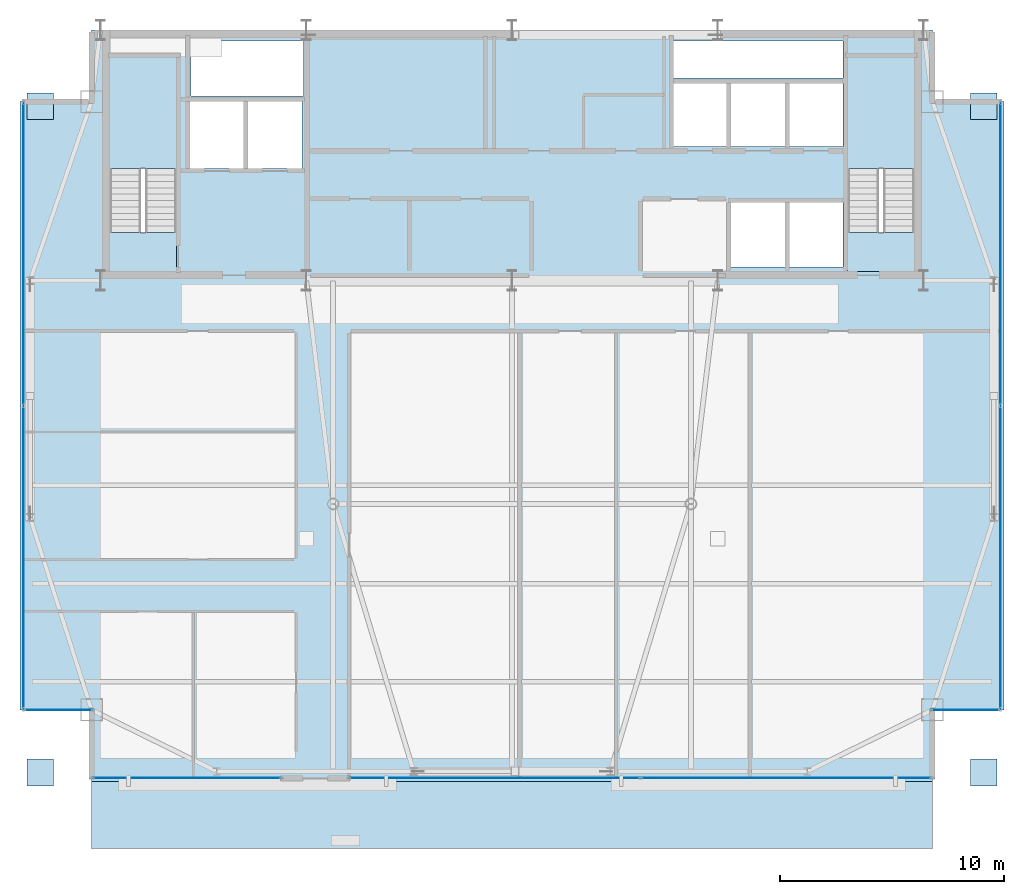
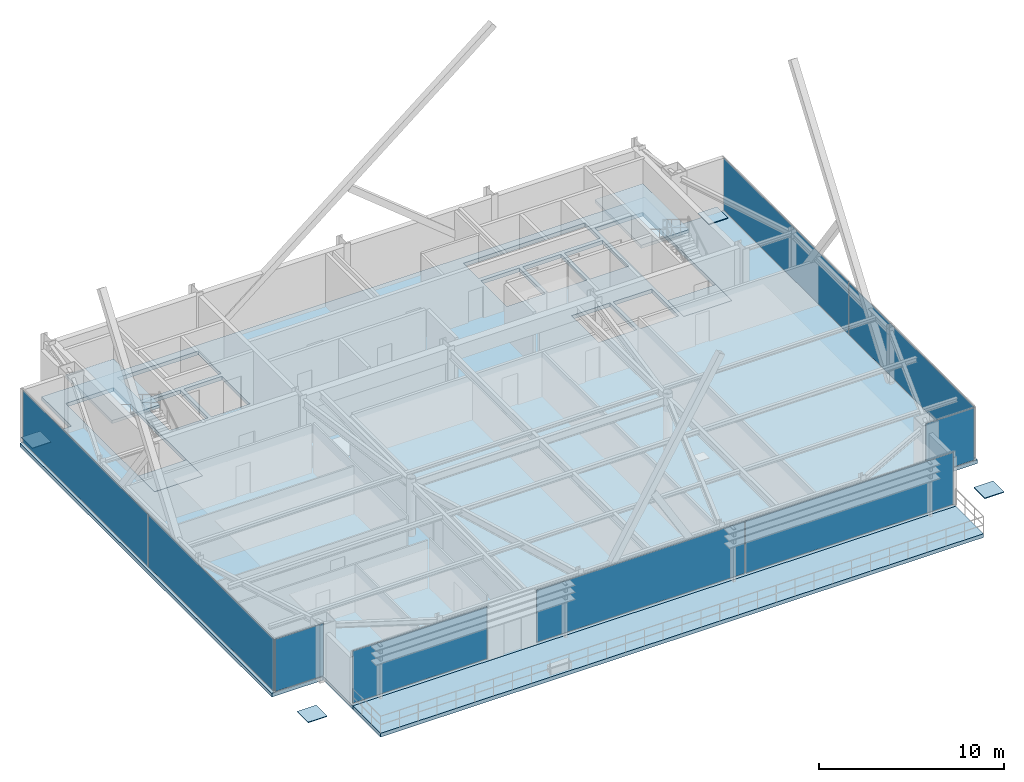
# One storey, part 18 of 25: 13 plates, 6 slabs, 8 elements without a shape of their own.
"""IFC4 building model written with IfcOpenShell, lengths in metres."""

from ifc_helpers import new_model, si_unit, direction, frame, origin, origin_2d, place, context, subcontext, project, spatial, polyline, rectangle, outline, extrude, source, transform, mapped, material, layer, layer_set, type_object, type_shapes, element, aggregate, save


model = new_model("IFC4")

# Units and contexts
model_context = context("Model", 3, precision=1e-05, world=origin(), true_north=direction((0.0, 1.0)))
body_context = subcontext(model_context, "Body", "Model", "MODEL_VIEW")
ifc_project = project(units=[si_unit("LENGTHUNIT", "METRE"), si_unit("AREAUNIT", "SQUARE_METRE"), si_unit("VOLUMEUNIT", "CUBIC_METRE"), si_unit("PLANEANGLEUNIT", "RADIAN"), si_unit("MASSUNIT", "GRAM", prefix="KILO")], contexts=[model_context])

# Site, building, storey
site_placement = place(None, origin())
site = spatial("IfcSite", under=ifc_project, at=site_placement, CompositionType="ELEMENT")
building_placement = place(site_placement, origin())
building = spatial("IfcBuilding", under=site, at=building_placement, Name="Varnel Quay Broadcast Tower", CompositionType="ELEMENT")
storey_placement = place(building_placement, frame((0.0, 0.0, 258.39990234375)))
storey = spatial("IfcBuildingStorey", under=building, at=storey_placement, Name="L64", CompositionType="ELEMENT", Elevation=258.39990234375)

# Slabs
ifc_material_1 = material(Name="Concrete CSA A23.3 C40/50", Category="concrete")
ifc_layer_1 = layer(ifc_material_1, 0.25, Name="Concrete CSA A23.3 C40/50")
ifc_layer_set_1 = layer_set([ifc_layer_1], Name="Concrete CSA A23.3 C40/50")
slab_type_1 = type_object("IfcSlabType", Name="Slab_ExtTerrace250", PredefinedType="FLOOR", material=ifc_layer_set_1)
slab_1_placement = place(storey_placement, frame((0.0, 0.0, -0.25)))
element("IfcSlab", 1, at=slab_1_placement, inside=storey, type_object=slab_type_1, Name="L64 Planted Lobe Terrace Slab 1", PredefinedType="FLOOR", context=body_context, shape_type="SweptSolid", body=[
    extrude(outline(polyline([(15.199951171875, 10.199951171875), (52.800048828125, 10.199951171875), (52.800048828125, 13.199951171875), (15.199951171875, 13.199951171875), (15.199951171875, 10.199951171875)])), origin(), (0.0, 0.0, 1.0), 0.25),
])
ifc_material_2 = material(Name="Concrete CSA A23.3 C50/60", Category="concrete")
ifc_layer_2 = layer(ifc_material_2, 0.25, Name="Concrete CSA A23.3 C50/60")
ifc_layer_set_2 = layer_set([ifc_layer_2], Name="Concrete CSA A23.3 C50/60")
slab_type_2 = type_object("IfcSlabType", Name="Slab_Floor250", PredefinedType="FLOOR", material=ifc_layer_set_2)
slab_2_placement = place(storey_placement, frame((0.0, 0.0, -0.25)))
element("IfcSlab", 2, at=slab_2_placement, inside=storey, type_object=slab_type_2, Name="L64 Structural Slab", PredefinedType="FLOOR", context=body_context, shape_type="SweptSolid", body=[
    extrude(outline(polyline([(15.199951171875, 13.199951171875), (52.800048828125, 13.199951171875), (52.800048828125, 16.39990234375), (56.0, 16.39990234375), (56.0, 43.60009765625), (52.800048828125, 43.60009765625), (52.800048828125, 46.800048828125), (15.199951171875, 46.800048828125), (15.199951171875, 43.60009765625), (12.0, 43.60009765625), (12.0, 16.39990234375), (15.199951171875, 16.39990234375), (15.199951171875, 13.199951171875)]), holes=[polyline([(19.0, 36.0), (16.0, 36.0), (16.0, 45.60009765625), (19.0, 45.60009765625), (19.0, 36.0)]), polyline([(19.60009765625, 40.60009765625), (19.60009765625, 43.60009765625), (22.0, 43.60009765625), (22.0, 40.60009765625), (19.60009765625, 40.60009765625)]), polyline([(22.199951171875, 40.60009765625), (22.199951171875, 43.60009765625), (24.60009765625, 43.60009765625), (24.60009765625, 40.60009765625), (22.199951171875, 40.60009765625)]), polyline([(41.199951171875, 44.39990234375), (43.60009765625, 44.39990234375), (43.60009765625, 41.60009765625), (41.199951171875, 41.60009765625), (41.199951171875, 44.39990234375)]), polyline([(43.800048828125, 44.39990234375), (46.199951171875, 44.39990234375), (46.199951171875, 41.60009765625), (43.800048828125, 41.60009765625), (43.800048828125, 44.39990234375)]), polyline([(19.64990234375, 43.85009765625), (19.64990234375, 46.300048828125), (24.679931640625, 46.300048828125), (24.679931640625, 43.85009765625), (19.64990234375, 43.85009765625)]), polyline([(43.800048828125, 39.10009765625), (46.199951171875, 39.10009765625), (46.199951171875, 36.199951171875), (43.800048828125, 36.199951171875), (43.800048828125, 39.10009765625)]), polyline([(46.39990234375, 39.10009765625), (48.800048828125, 39.10009765625), (48.800048828125, 36.199951171875), (46.39990234375, 36.199951171875), (46.39990234375, 39.10009765625)]), polyline([(52.0, 36.0), (49.0, 36.0), (49.0, 45.60009765625), (52.0, 45.60009765625), (52.0, 36.0)]), polyline([(46.39990234375, 44.39990234375), (48.800048828125, 44.39990234375), (48.800048828125, 41.60009765625), (46.39990234375, 41.60009765625), (46.39990234375, 44.39990234375)]), polyline([(41.199951171875, 46.300048828125), (48.800048828125, 46.300048828125), (48.800048828125, 44.64990234375), (41.199951171875, 44.64990234375), (41.199951171875, 46.300048828125)])]), origin(), (0.0, 0.0, 1.0), 0.25),
])
ifc_layer_3 = layer(ifc_material_2, 0.25, Name="Concrete CSA A23.3 C50/60")
ifc_layer_set_3 = layer_set([ifc_layer_3], Name="Concrete CSA A23.3 C50/60")
slab_type_3 = type_object("IfcSlabType", Name="Slab_StairFloorLanding250", PredefinedType="FLOOR", material=ifc_layer_set_3)
slab_3_placement = place(storey_placement, frame((0.0, 0.0, -0.25)))
element("IfcSlab", 3, at=slab_3_placement, inside=storey, type_object=slab_type_3, Name="L64 ST-01 Structural Floor Landing Slab", PredefinedType="FLOOR", context=body_context, shape_type="SweptSolid", body=[
    extrude(outline(polyline([(19.0, 36.0), (19.0, 37.75), (16.0, 37.75), (16.0, 36.0), (19.0, 36.0)])), origin(), (0.0, 0.0, 1.0), 0.25),
])
slab_4_placement = place(storey_placement, frame((0.0, 0.0, -0.25)))
element("IfcSlab", 4, at=slab_4_placement, inside=storey, type_object=slab_type_3, Name="L64 ST-02 Structural Floor Landing Slab", PredefinedType="FLOOR", context=body_context, shape_type="SweptSolid", body=[
    extrude(outline(polyline([(52.0, 36.0), (52.0, 37.75), (49.0, 37.75), (49.0, 36.0), (52.0, 36.0)])), origin(), (0.0, 0.0, 1.0), 0.25),
])

# Stair, slab
ifc_material_3 = material(Name="Precast Structural Concrete C40/50", Category="concrete")
stair_type_1 = type_object("IfcStairType", Name="Stair_ST-01", PredefinedType="HALF_TURN_STAIR", material=ifc_material_3)
stair_1_placement = place(storey_placement, origin())
stair_1 = element("IfcStair", 5, at=stair_1_placement, inside=storey, type_object=stair_type_1, Name="L64 West Core Exit Stair 1", PredefinedType="HALF_TURN_STAIR")
ifc_layer_4 = layer(ifc_material_3, 0.199951171875, Name="Precast Structural Concrete C40/50")
ifc_layer_set_4 = layer_set([ifc_layer_4], Name="Precast Structural Concrete C40/50")
slab_type_4 = type_object("IfcSlabType", Name="Slab_StairLanding200", PredefinedType="LANDING", material=ifc_layer_set_4)
slab_5_placement = place(storey_placement, frame((0.0, 0.0, 1.7001953125)))
slab_5 = element("IfcSlab", 6, at=slab_5_placement, type_object=slab_type_4, Name="ST-01 landing 1", PredefinedType="LANDING", context=body_context, shape_type="SweptSolid", body=[
    extrude(outline(polyline([(19.0, 40.60009765625), (19.0, 45.60009765625), (16.0, 45.60009765625), (16.0, 40.60009765625), (19.0, 40.60009765625)])), origin(), (0.0, 0.0, 1.0), 0.199951171875),
])
aggregate(stair_1, [slab_5])

stair_type_2 = type_object("IfcStairType", Name="Stair_ST-02", PredefinedType="HALF_TURN_STAIR", material=ifc_material_3)
stair_2_placement = place(storey_placement, origin())
stair_2 = element("IfcStair", 7, at=stair_2_placement, inside=storey, type_object=stair_type_2, Name="L64 East Core Exit Stair 2", PredefinedType="HALF_TURN_STAIR")
slab_6_placement = place(storey_placement, frame((0.0, 0.0, 1.7001953125)))
slab_6 = element("IfcSlab", 8, at=slab_6_placement, type_object=slab_type_4, Name="ST-02 landing 1", PredefinedType="LANDING", context=body_context, shape_type="SweptSolid", body=[
    extrude(outline(polyline([(52.0, 40.60009765625), (52.0, 45.60009765625), (49.0, 45.60009765625), (49.0, 40.60009765625), (52.0, 40.60009765625)])), origin(), (0.0, 0.0, 1.0), 0.199951171875),
])
aggregate(stair_2, [slab_6])

# Plates
ifc_material_4 = material(Name="Structural Steel CSA G40.21 350WT", Category="steel")
ifc_layer_5 = layer(ifc_material_4, 0.050048828125, Name="Structural Steel CSA G40.21 350WT")
ifc_layer_set_5 = layer_set([ifc_layer_5], Name="Structural Steel CSA G40.21 350WT")
plate_type_1 = type_object("IfcPlateType", Name="Plate_BasePlate", PredefinedType="SHEET", material=ifc_layer_set_5)
shared_shape_1 = source(origin(), body_context, "Body", "SweptSolid", [
    extrude(rectangle(XDim=1.18994140625, YDim=1.18994140625, at=origin_2d()), origin(), (0.0, 0.0, 1.0), 0.050048828125),
])
type_shapes(plate_type_1, [shared_shape_1])
for number, where, z_axis, x_axis, name in (
    (9, (12.89990234375, 13.60009765625, -0.0048828125), (0.0, 0.0, 1.0), (1.0, 0.0, 0.0), "L63 Hollow Column Top Cap Plate MC-SW"),
    (10, (55.10009765625, 13.60009765625, -0.0048828125), (0.0, 0.0, 1.0), (1.0, 0.0, 0.0), "L63 Hollow Column Top Cap Plate MC-SE"),
    (11, (55.10009765625, 43.39990234375, -0.0048828125), (0.0, 0.0, 1.0), (1.0, 0.0, 0.0), "L63 Hollow Column Top Cap Plate MC-NE"),
    (12, (12.89990234375, 43.39990234375, -0.0048828125), (0.0, 0.0, 1.0), (1.0, 0.0, 0.0), "L63 Hollow Column Top Cap Plate MC-NW"),
):
    element("IfcPlate", number, at=place(storey_placement, frame(where, z_axis=z_axis, x_axis=x_axis)), inside=storey, type_object=plate_type_1, Name=name, PredefinedType="SHEET", context=body_context, shape_type="MappedRepresentation", body=[
        mapped(shared_shape_1, transform((0.0, 0.0, 0.0), x_axis=(1.0, 0.0, 0.0), y_axis=(0.0, 1.0, 0.0), z_axis=(0.0, 0.0, 1.0), scale=1.0)),
    ])

# Curtain wall, plate
ifc_material_5 = material(Name="Anodised Bronze Aluminium 6063-T6", Category="aluminium")
ifc_layer_6 = layer(ifc_material_5, 0.18994140625, Name="Anodised Bronze Aluminium 6063-T6")
ifc_layer_set_6 = layer_set([ifc_layer_6], Name="Anodised Bronze Aluminium 6063-T6")
curtain_wall_type_1 = type_object("IfcCurtainWallType", Name="CW_UpperTower", PredefinedType="NOTDEFINED", material=ifc_layer_set_6)
curtain_wall_1_placement = place(storey_placement, origin())
curtain_wall_1 = element("IfcCurtainWall", 13, at=curtain_wall_1_placement, inside=storey, type_object=curtain_wall_type_1, Name="L64 South Unitised Curtain Wall 1", PredefinedType="NOTDEFINED")
ifc_material_6 = material(Name="Triple-Glazed Bronze Low-E Architectural Glass", Category="glass")
ifc_layer_7 = layer(ifc_material_6, 0.030029296875, Name="Triple-Glazed Bronze Low-E Architectural Glass")
ifc_layer_set_7 = layer_set([ifc_layer_7], Name="Triple-Glazed Bronze Low-E Architectural Glass")
plate_type_2 = type_object("IfcPlateType", Name="Panel_CWS-03", PredefinedType="CURTAIN_PANEL", material=ifc_layer_set_7)
shared_shape_2 = source(origin(), body_context, "Body", "SweptSolid", [
    extrude(rectangle(XDim=8.389892578125, YDim=0.030029296875, at=origin_2d()), origin(), (0.0, 0.0, 1.0), 3.429931640625),
])
plate_1_placement = place(storey_placement, frame((19.4599609375, 13.35009765625, 0.06005859375), z_axis=(0.0, 0.0, 1.0), x_axis=(1.0, 0.0, 0.0)))
plate_1 = element("IfcPlate", 14, at=plate_1_placement, type_object=plate_type_2, Name="CWS-03 panel 1.1", PredefinedType="CURTAIN_PANEL", context=body_context, shape_type="MappedRepresentation", body=[
    mapped(shared_shape_2, transform((0.0, 0.0, 0.0), x_axis=(1.0, 0.0, 0.0), y_axis=(0.0, 1.0, 0.0), z_axis=(0.0, 0.0, 1.0), scale=1.0)),
])
aggregate(curtain_wall_1, [plate_1])

# Curtain wall, plates
curtain_wall_2_placement = place(storey_placement, origin())
curtain_wall_2 = element("IfcCurtainWall", 15, at=curtain_wall_2_placement, inside=storey, type_object=curtain_wall_type_1, Name="L64 South Unitised Curtain Wall 2", PredefinedType="NOTDEFINED")
ifc_material_7 = material(Name="Insulated Bronze Spandrel Glass", Category="glass")
ifc_layer_8 = layer(ifc_material_7, 0.030029296875, Name="Insulated Bronze Spandrel Glass")
ifc_layer_set_8 = layer_set([ifc_layer_8], Name="Insulated Bronze Spandrel Glass")
plate_type_3 = type_object("IfcPlateType", Name="PanelSp_CWS-03", PredefinedType="CURTAIN_PANEL", material=ifc_layer_set_8)
shared_shape_3 = source(origin(), body_context, "Body", "SweptSolid", [
    extrude(rectangle(XDim=12.96240234375, YDim=0.030029296875, at=origin_2d()), origin(), (0.0, 0.0, 1.0), 3.429931640625),
])
plate_2_placement = place(storey_placement, frame((33.226318359375, 13.35009765625, 0.06005859375), z_axis=(0.0, 0.0, 1.0), x_axis=(1.0, 0.0, 0.0)))
plate_2 = element("IfcPlate", 16, at=plate_2_placement, type_object=plate_type_3, Name="CWS-03 panel 1.1", PredefinedType="CURTAIN_PANEL", context=body_context, shape_type="MappedRepresentation", body=[
    mapped(shared_shape_3, transform((0.0, 0.0, 0.0), x_axis=(1.0, 0.0, 0.0), y_axis=(0.0, 1.0, 0.0), z_axis=(0.0, 0.0, 1.0), scale=1.0)),
])
shared_shape_4 = source(origin(), body_context, "Body", "SweptSolid", [
    extrude(rectangle(XDim=12.96240234375, YDim=0.030029296875, at=origin_2d()), origin(), (0.0, 0.0, 1.0), 3.429931640625),
])
type_shapes(plate_type_2, [shared_shape_2, shared_shape_4])
plate_3_placement = place(storey_placement, frame((46.253662109375, 13.35009765625, 0.06005859375), z_axis=(0.0, 0.0, 1.0), x_axis=(1.0, 0.0, 0.0)))
plate_3 = element("IfcPlate", 17, at=plate_3_placement, type_object=plate_type_2, Name="CWS-03 panel 2.1", PredefinedType="CURTAIN_PANEL", context=body_context, shape_type="MappedRepresentation", body=[
    mapped(shared_shape_4, transform((0.0, 0.0, 0.0), x_axis=(1.0, 0.0, 0.0), y_axis=(0.0, 1.0, 0.0), z_axis=(0.0, 0.0, 1.0), scale=1.0)),
])
aggregate(curtain_wall_2, [plate_2, plate_3])

curtain_wall_3_placement = place(storey_placement, origin())
curtain_wall_3 = element("IfcCurtainWall", 18, at=curtain_wall_3_placement, inside=storey, type_object=curtain_wall_type_1, Name="L64 West Unitised Curtain Wall", PredefinedType="NOTDEFINED")
shared_shape_5 = source(origin(), body_context, "Body", "SweptSolid", [
    extrude(rectangle(XDim=13.50244140625, YDim=0.030029296875, at=origin_2d()), origin(), (0.0, 0.0, 1.0), 3.429931640625),
])
type_shapes(plate_type_3, [shared_shape_3, shared_shape_5])
plate_4_placement = place(storey_placement, frame((12.14990234375, 23.21630859375, 0.06005859375), z_axis=(0.0, 0.0, 1.0), x_axis=(0.0, 1.0, 0.0)))
plate_4 = element("IfcPlate", 19, at=plate_4_placement, type_object=plate_type_3, Name="CWS-03 panel 1.1", PredefinedType="CURTAIN_PANEL", context=body_context, shape_type="MappedRepresentation", body=[
    mapped(shared_shape_5, transform((0.0, 0.0, 0.0), x_axis=(1.0, 0.0, 0.0), y_axis=(0.0, 1.0, 0.0), z_axis=(0.0, 0.0, 1.0), scale=1.0)),
])
plate_5_placement = place(storey_placement, frame((12.14990234375, 36.78369140625, 0.06005859375), z_axis=(0.0, 0.0, 1.0), x_axis=(0.0, 1.0, 0.0)))
plate_5 = element("IfcPlate", 20, at=plate_5_placement, type_object=plate_type_3, Name="CWS-03 panel 2.1", PredefinedType="CURTAIN_PANEL", context=body_context, shape_type="MappedRepresentation", body=[
    mapped(shared_shape_5, transform((0.0, 0.0, 0.0), x_axis=(1.0, 0.0, 0.0), y_axis=(0.0, 1.0, 0.0), z_axis=(0.0, 0.0, 1.0), scale=1.0)),
])
aggregate(curtain_wall_3, [plate_4, plate_5])

curtain_wall_4_placement = place(storey_placement, origin())
curtain_wall_4 = element("IfcCurtainWall", 21, at=curtain_wall_4_placement, inside=storey, type_object=curtain_wall_type_1, Name="L64 East Unitised Curtain Wall", PredefinedType="NOTDEFINED")
plate_6_placement = place(storey_placement, frame((55.85009765625, 23.21630859375, 0.06005859375), z_axis=(0.0, 0.0, 1.0), x_axis=(0.0, 1.0, 0.0)))
plate_6 = element("IfcPlate", 22, at=plate_6_placement, type_object=plate_type_3, Name="CWS-03 panel 1.1", PredefinedType="CURTAIN_PANEL", context=body_context, shape_type="MappedRepresentation", body=[
    mapped(shared_shape_5, transform((0.0, 0.0, 0.0), x_axis=(1.0, 0.0, 0.0), y_axis=(0.0, 1.0, 0.0), z_axis=(0.0, 0.0, 1.0), scale=1.0)),
])
plate_7_placement = place(storey_placement, frame((55.85009765625, 36.78369140625, 0.06005859375), z_axis=(0.0, 0.0, 1.0), x_axis=(0.0, 1.0, 0.0)))
plate_7 = element("IfcPlate", 23, at=plate_7_placement, type_object=plate_type_3, Name="CWS-03 panel 2.1", PredefinedType="CURTAIN_PANEL", context=body_context, shape_type="MappedRepresentation", body=[
    mapped(shared_shape_5, transform((0.0, 0.0, 0.0), x_axis=(1.0, 0.0, 0.0), y_axis=(0.0, 1.0, 0.0), z_axis=(0.0, 0.0, 1.0), scale=1.0)),
])
aggregate(curtain_wall_4, [plate_6, plate_7])

# Curtain wall, plate
ifc_layer_9 = layer(ifc_material_5, 0.18994140625, Name="Anodised Bronze Aluminium 6063-T6")
ifc_layer_set_9 = layer_set([ifc_layer_9], Name="Anodised Bronze Aluminium 6063-T6")
curtain_wall_type_2 = type_object("IfcCurtainWallType", Name="CW_NotchCorner", PredefinedType="NOTDEFINED", material=ifc_layer_set_9)
curtain_wall_5_placement = place(storey_placement, origin())
curtain_wall_5 = element("IfcCurtainWall", 24, at=curtain_wall_5_placement, inside=storey, type_object=curtain_wall_type_2, Name="L64 SW Notch Curtain Wall", PredefinedType="NOTDEFINED")
ifc_layer_10 = layer(ifc_material_6, 0.028076171875, Name="Triple-Glazed Bronze Low-E Architectural Glass")
ifc_layer_set_10 = layer_set([ifc_layer_10], Name="Triple-Glazed Bronze Low-E Architectural Glass")
plate_type_4 = type_object("IfcPlateType", Name="Panel_CWS-04", PredefinedType="CURTAIN_PANEL", material=ifc_layer_set_10)
shared_shape_6 = source(origin(), body_context, "Body", "SweptSolid", [
    extrude(rectangle(XDim=3.010009765625, YDim=0.028076171875, at=origin_2d()), origin(), (0.0, 0.0, 1.0), 3.43994140625),
])
type_shapes(plate_type_4, [shared_shape_6])
plate_8_placement = place(storey_placement, frame((13.715087890625, 16.39990234375, 0.05517578125), z_axis=(0.0, 0.0, 1.0), x_axis=(1.0, 0.0, 0.0)))
plate_8 = element("IfcPlate", 25, at=plate_8_placement, type_object=plate_type_4, Name="CWS-04 panel 1.1", PredefinedType="CURTAIN_PANEL", context=body_context, shape_type="MappedRepresentation", body=[
    mapped(shared_shape_6, transform((0.0, 0.0, 0.0), x_axis=(1.0, 0.0, 0.0), y_axis=(0.0, 1.0, 0.0), z_axis=(0.0, 0.0, 1.0), scale=1.0)),
])
aggregate(curtain_wall_5, [plate_8])

curtain_wall_6_placement = place(storey_placement, origin())
curtain_wall_6 = element("IfcCurtainWall", 26, at=curtain_wall_6_placement, inside=storey, type_object=curtain_wall_type_2, Name="L64 SE Notch Curtain Wall", PredefinedType="NOTDEFINED")
plate_9_placement = place(storey_placement, frame((54.284912109375, 16.39990234375, 0.05517578125), z_axis=(0.0, 0.0, 1.0), x_axis=(1.0, 0.0, 0.0)))
plate_9 = element("IfcPlate", 27, at=plate_9_placement, type_object=plate_type_4, Name="CWS-04 panel 1.1", PredefinedType="CURTAIN_PANEL", context=body_context, shape_type="MappedRepresentation", body=[
    mapped(shared_shape_6, transform((0.0, 0.0, 0.0), x_axis=(1.0, 0.0, 0.0), y_axis=(0.0, 1.0, 0.0), z_axis=(0.0, 0.0, 1.0), scale=1.0)),
])
aggregate(curtain_wall_6, [plate_9])

save(model, "model.ifc")
